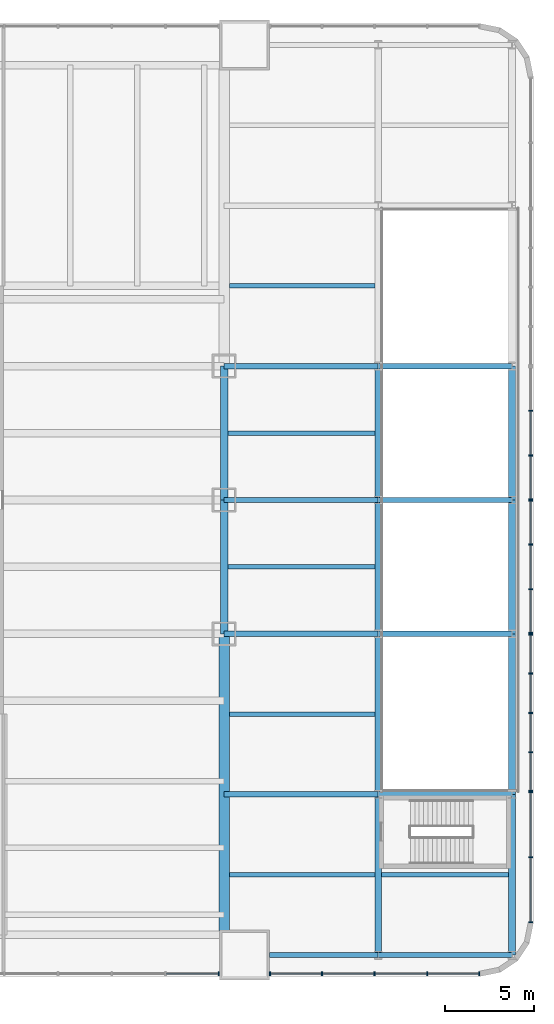
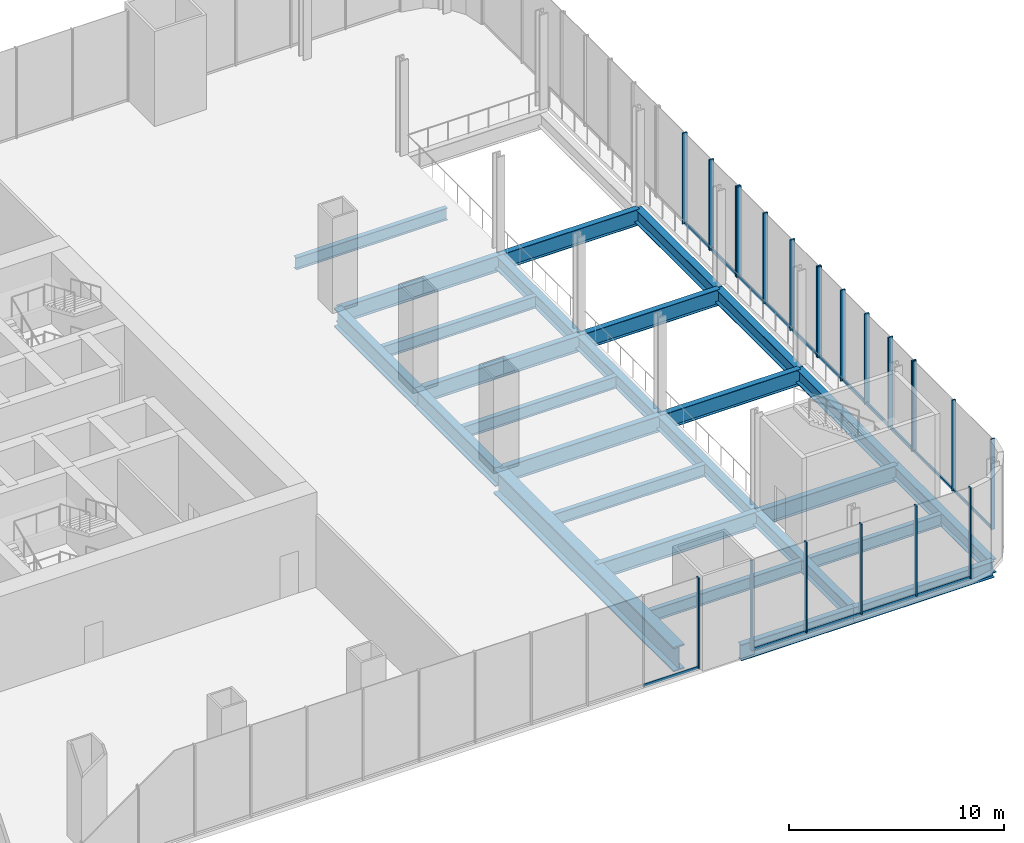
# One storey, part 8 of 16: 37 members, 27 beams, 6 elements without a shape of their own.
"""IFC4 building model written with IfcOpenShell, lengths in metres."""

from ifc_helpers import new_model, si_unit, direction, frame, origin, origin_2d, place, context, subcontext, project, spatial, rectangle, i_section, extrude, material, material_profile, profile_set, type_object, element, aggregate, save


model = new_model("IFC4")

# Units and contexts
model_context = context("Model", 3, precision=1e-05, world=origin(), true_north=direction((0.0, 1.0)))
body_context = subcontext(model_context, "Body", "Model", "MODEL_VIEW")
ifc_project = project(units=[si_unit("LENGTHUNIT", "METRE"), si_unit("AREAUNIT", "SQUARE_METRE"), si_unit("VOLUMEUNIT", "CUBIC_METRE"), si_unit("PLANEANGLEUNIT", "RADIAN"), si_unit("MASSUNIT", "GRAM", prefix="KILO")], contexts=[model_context])

# Site, building, storey
site_placement = place(None, origin())
site = spatial("IfcSite", under=ifc_project, at=site_placement, CompositionType="ELEMENT")
building_placement = place(site_placement, origin())
building = spatial("IfcBuilding", under=site, at=building_placement, Name="Tarangal Relay Tower", CompositionType="ELEMENT")
storey_placement = place(building_placement, frame((0.0, 0.0, 12.60009765625)))
storey = spatial("IfcBuildingStorey", under=building, at=storey_placement, Name="L02", CompositionType="ELEMENT", Elevation=12.60009765625)

# Beams
ifc_material_1 = material(Name="Steel ASTM A992", Category="steel")
ifc_material_profile_1 = material_profile(ifc_material_1, i_section(OverallWidth=0.41650390625, OverallDepth=1.0693359375, WebThickness=0.0390625, FlangeThickness=0.070068359375, at=origin_2d()), Name="W40X503")
ifc_profile_set_1 = profile_set([ifc_material_profile_1], Name="Steel ASTM A992")
beam_type_1 = type_object("IfcBeamType", Name="Edge girder W40X503", PredefinedType="SPANDREL", material=ifc_profile_set_1)
for number, where, z_axis, x_axis, name in (
    (1, (24.364990234375, 7.5, -0.78466796875), (0.0, -1.0, 0.0), (1.0, 0.0, 0.0), "Edge girder EG8 E L02"),
    (2, (24.364990234375, 0.0, -0.78466796875), (0.0, -1.0, 0.0), (1.0, 0.0, 0.0), "Edge girder EG8 E L02"),
):
    element("IfcBeam", number, at=place(storey_placement, frame(where, z_axis=z_axis, x_axis=x_axis)), inside=storey, type_object=beam_type_1, Name=name, PredefinedType="SPANDREL", context=body_context, shape_type="SweptSolid", body=[
        extrude(i_section(OverallWidth=0.41650390625, OverallDepth=1.0693359375, WebThickness=0.0390625, FlangeThickness=0.070068359375, at=origin_2d()), origin(), (0.0, 0.0, 1.0), 7.5),
    ])

# Curtain wall, member
ifc_material_2 = material(Name="Unitised curtain wall, dark glass and black aluminium", Category="aluminium")
curtain_wall_type_1 = type_object("IfcCurtainWallType", Name="Curtain wall CW-P", PredefinedType="USERDEFINED", material=ifc_material_2)
curtain_wall_1_placement = place(storey_placement, origin())
curtain_wall_1 = element("IfcCurtainWall", 3, at=curtain_wall_1_placement, inside=storey, type_object=curtain_wall_type_1, Name="Curtain wall CW-P Podium S facade L02", ObjectType="UNITISED CURTAIN WALL", PredefinedType="USERDEFINED")
ifc_material_3 = material(Name="Black anodised aluminium mullion", Category="aluminium")
ifc_material_profile_2 = material_profile(ifc_material_3, rectangle(XDim=0.199951171875, YDim=0.070068359375, at=origin_2d()), Name="CW-PM 70X200")
ifc_profile_set_2 = profile_set([ifc_material_profile_2], Name="Black anodised aluminium mullion")
member_type_1 = type_object("IfcMemberType", Name="Mullion CW-P 70 x 200", PredefinedType="MULLION", material=ifc_profile_set_2)
member_1_placement = place(storey_placement, frame((24.06494140625, -26.550048828125, 0.0), z_axis=(0.0, 0.0, 1.0), x_axis=(0.0, 1.0, 0.0)))
member_1 = element("IfcMember", 4, at=member_1_placement, type_object=member_type_1, Name="CW-P mullion 17", PredefinedType="MULLION", context=body_context, shape_type="SweptSolid", body=[
    extrude(rectangle(XDim=0.199951171875, YDim=0.070068359375, at=origin_2d()), origin(), (0.0, 0.0, 1.0), 5.14990234375),
])

# Curtain wall, members
curtain_wall_2_placement = place(storey_placement, origin())
curtain_wall_2 = element("IfcCurtainWall", 5, at=curtain_wall_2_placement, inside=storey, type_object=curtain_wall_type_1, Name="Curtain wall CW-P Podium S facade L02", ObjectType="UNITISED CURTAIN WALL", PredefinedType="USERDEFINED")
member_2_placement = place(storey_placement, frame((26.93505859375, -26.550048828125, 0.0), z_axis=(0.0, 0.0, 1.0), x_axis=(0.0, 1.0, 0.0)))
member_2 = element("IfcMember", 6, at=member_2_placement, type_object=member_type_1, Name="CW-P mullion 1", PredefinedType="MULLION", context=body_context, shape_type="SweptSolid", body=[
    extrude(rectangle(XDim=0.199951171875, YDim=0.070068359375, at=origin_2d()), origin(), (0.0, 0.0, 1.0), 5.14990234375),
])
member_3_placement = place(storey_placement, frame((29.85009765625, -26.550048828125, 0.0), z_axis=(0.0, 0.0, 1.0), x_axis=(0.0, 1.0, 0.0)))
member_3 = element("IfcMember", 7, at=member_3_placement, type_object=member_type_1, Name="CW-P mullion 2", PredefinedType="MULLION", context=body_context, shape_type="SweptSolid", body=[
    extrude(rectangle(XDim=0.199951171875, YDim=0.070068359375, at=origin_2d()), origin(), (0.0, 0.0, 1.0), 5.14990234375),
])
member_4_placement = place(storey_placement, frame((32.800048828125, -26.550048828125, 0.0), z_axis=(0.0, 0.0, 1.0), x_axis=(0.0, 1.0, 0.0)))
member_4 = element("IfcMember", 8, at=member_4_placement, type_object=member_type_1, Name="CW-P mullion 3", PredefinedType="MULLION", context=body_context, shape_type="SweptSolid", body=[
    extrude(rectangle(XDim=0.199951171875, YDim=0.070068359375, at=origin_2d()), origin(), (0.0, 0.0, 1.0), 5.14990234375),
])
member_5_placement = place(storey_placement, frame((35.75, -26.550048828125, 0.0), z_axis=(0.0, 0.0, 1.0), x_axis=(0.0, 1.0, 0.0)))
member_5 = element("IfcMember", 9, at=member_5_placement, type_object=member_type_1, Name="CW-P mullion 4", PredefinedType="MULLION", context=body_context, shape_type="SweptSolid", body=[
    extrude(rectangle(XDim=0.199951171875, YDim=0.070068359375, at=origin_2d()), origin(), (0.0, 0.0, 1.0), 5.14990234375),
])
member_6_placement = place(storey_placement, frame((38.6650390625, -26.550048828125, 0.0), z_axis=(0.0, 0.0, 1.0), x_axis=(0.0, 1.0, 0.0)))
member_6 = element("IfcMember", 10, at=member_6_placement, type_object=member_type_1, Name="CW-P mullion 5", PredefinedType="MULLION", context=body_context, shape_type="SweptSolid", body=[
    extrude(rectangle(XDim=0.199951171875, YDim=0.070068359375, at=origin_2d()), origin(), (0.0, 0.0, 1.0), 5.14990234375),
])

curtain_wall_3_placement = place(storey_placement, origin())
curtain_wall_3 = element("IfcCurtainWall", 11, at=curtain_wall_3_placement, inside=storey, type_object=curtain_wall_type_1, Name="Curtain wall CW-P Podium E facade L02", ObjectType="UNITISED CURTAIN WALL", PredefinedType="USERDEFINED")
member_7_placement = place(storey_placement, frame((41.550048828125, -23.6650390625, 0.0), z_axis=(0.0, 0.0, 1.0), x_axis=(-1.0, 0.0, 0.0)))
member_7 = element("IfcMember", 12, at=member_7_placement, type_object=member_type_1, Name="CW-P mullion 1", PredefinedType="MULLION", context=body_context, shape_type="SweptSolid", body=[
    extrude(rectangle(XDim=0.199951171875, YDim=0.070068359375, at=origin_2d()), origin(), (0.0, 0.0, 1.0), 5.14990234375),
])
member_8_placement = place(storey_placement, frame((41.550048828125, -20.02490234375, 0.0), z_axis=(0.0, 0.0, 1.0), x_axis=(-1.0, 0.0, 0.0)))
member_8 = element("IfcMember", 13, at=member_8_placement, type_object=member_type_1, Name="CW-P mullion 2", PredefinedType="MULLION", context=body_context, shape_type="SweptSolid", body=[
    extrude(rectangle(XDim=0.199951171875, YDim=0.070068359375, at=origin_2d()), origin(), (0.0, 0.0, 1.0), 5.14990234375),
])
member_9_placement = place(storey_placement, frame((41.550048828125, -16.385009765625, 0.0), z_axis=(0.0, 0.0, 1.0), x_axis=(-1.0, 0.0, 0.0)))
member_9 = element("IfcMember", 14, at=member_9_placement, type_object=member_type_1, Name="CW-P mullion 3", PredefinedType="MULLION", context=body_context, shape_type="SweptSolid", body=[
    extrude(rectangle(XDim=0.199951171875, YDim=0.070068359375, at=origin_2d()), origin(), (0.0, 0.0, 1.0), 5.14990234375),
])

curtain_wall_type_2 = type_object("IfcCurtainWallType", Name="Curtain wall CW-T", PredefinedType="USERDEFINED", material=ifc_material_2)
curtain_wall_4_placement = place(storey_placement, origin())
curtain_wall_4 = element("IfcCurtainWall", 15, at=curtain_wall_4_placement, inside=storey, type_object=curtain_wall_type_2, Name="Curtain wall CW-T Podium E facade L02", ObjectType="UNITISED CURTAIN WALL", PredefinedType="USERDEFINED")
ifc_material_profile_3 = material_profile(ifc_material_3, rectangle(XDim=0.25, YDim=0.080078125, at=origin_2d()), Name="CW-TM 80X250")
ifc_profile_set_3 = profile_set([ifc_material_profile_3], Name="Black anodised aluminium mullion")
member_type_2 = type_object("IfcMemberType", Name="Mullion CW-T 80 x 250", PredefinedType="MULLION", material=ifc_profile_set_3)
member_10_placement = place(storey_placement, frame((41.550048828125, -16.31005859375, 0.0), z_axis=(0.0, 0.0, 1.0), x_axis=(-1.0, 0.0, 0.0)))
member_10 = element("IfcMember", 16, at=member_10_placement, type_object=member_type_2, Name="CW-T mullion 1", PredefinedType="MULLION", context=body_context, shape_type="SweptSolid", body=[
    extrude(rectangle(XDim=0.25, YDim=0.080078125, at=origin_2d()), origin(), (0.0, 0.0, 1.0), 5.14990234375),
])
member_11_placement = place(storey_placement, frame((41.550048828125, -14.137451171875, 0.0), z_axis=(0.0, 0.0, 1.0), x_axis=(-1.0, 0.0, 0.0)))
member_11 = element("IfcMember", 17, at=member_11_placement, type_object=member_type_2, Name="CW-T mullion 2", PredefinedType="MULLION", context=body_context, shape_type="SweptSolid", body=[
    extrude(rectangle(XDim=0.25, YDim=0.080078125, at=origin_2d()), origin(), (0.0, 0.0, 1.0), 5.14990234375),
])
member_12_placement = place(storey_placement, frame((41.550048828125, -11.925048828125, 0.0), z_axis=(0.0, 0.0, 1.0), x_axis=(-1.0, 0.0, 0.0)))
member_12 = element("IfcMember", 18, at=member_12_placement, type_object=member_type_2, Name="CW-T mullion 3", PredefinedType="MULLION", context=body_context, shape_type="SweptSolid", body=[
    extrude(rectangle(XDim=0.25, YDim=0.080078125, at=origin_2d()), origin(), (0.0, 0.0, 1.0), 5.14990234375),
])
member_13_placement = place(storey_placement, frame((41.550048828125, -9.71240234375, 0.0), z_axis=(0.0, 0.0, 1.0), x_axis=(-1.0, 0.0, 0.0)))
member_13 = element("IfcMember", 19, at=member_13_placement, type_object=member_type_2, Name="CW-T mullion 4", PredefinedType="MULLION", context=body_context, shape_type="SweptSolid", body=[
    extrude(rectangle(XDim=0.25, YDim=0.080078125, at=origin_2d()), origin(), (0.0, 0.0, 1.0), 5.14990234375),
])
member_14_placement = place(storey_placement, frame((41.550048828125, -7.5400390625, 0.0), z_axis=(0.0, 0.0, 1.0), x_axis=(-1.0, 0.0, 0.0)))
member_14 = element("IfcMember", 20, at=member_14_placement, type_object=member_type_2, Name="CW-T mullion 5", PredefinedType="MULLION", context=body_context, shape_type="SweptSolid", body=[
    extrude(rectangle(XDim=0.25, YDim=0.080078125, at=origin_2d()), origin(), (0.0, 0.0, 1.0), 5.14990234375),
])

curtain_wall_5_placement = place(storey_placement, origin())
curtain_wall_5 = element("IfcCurtainWall", 21, at=curtain_wall_5_placement, inside=storey, type_object=curtain_wall_type_2, Name="Curtain wall CW-T Podium E facade L02", ObjectType="UNITISED CURTAIN WALL", PredefinedType="USERDEFINED")
member_15_placement = place(storey_placement, frame((41.550048828125, -7.4599609375, 0.0), z_axis=(0.0, 0.0, 1.0), x_axis=(-1.0, 0.0, 0.0)))
member_15 = element("IfcMember", 22, at=member_15_placement, type_object=member_type_2, Name="CW-T mullion 1", PredefinedType="MULLION", context=body_context, shape_type="SweptSolid", body=[
    extrude(rectangle(XDim=0.25, YDim=0.080078125, at=origin_2d()), origin(), (0.0, 0.0, 1.0), 5.14990234375),
])
member_16_placement = place(storey_placement, frame((41.550048828125, -5.0, 0.0), z_axis=(0.0, 0.0, 1.0), x_axis=(-1.0, 0.0, 0.0)))
member_16 = element("IfcMember", 23, at=member_16_placement, type_object=member_type_2, Name="CW-T mullion 2", PredefinedType="MULLION", context=body_context, shape_type="SweptSolid", body=[
    extrude(rectangle(XDim=0.25, YDim=0.080078125, at=origin_2d()), origin(), (0.0, 0.0, 1.0), 5.14990234375),
])
member_17_placement = place(storey_placement, frame((41.550048828125, -2.5, 0.0), z_axis=(0.0, 0.0, 1.0), x_axis=(-1.0, 0.0, 0.0)))
member_17 = element("IfcMember", 24, at=member_17_placement, type_object=member_type_2, Name="CW-T mullion 3", PredefinedType="MULLION", context=body_context, shape_type="SweptSolid", body=[
    extrude(rectangle(XDim=0.25, YDim=0.080078125, at=origin_2d()), origin(), (0.0, 0.0, 1.0), 5.14990234375),
])
member_18_placement = place(storey_placement, frame((41.550048828125, -0.0400390625, 0.0), z_axis=(0.0, 0.0, 1.0), x_axis=(-1.0, 0.0, 0.0)))
member_18 = element("IfcMember", 25, at=member_18_placement, type_object=member_type_2, Name="CW-T mullion 4", PredefinedType="MULLION", context=body_context, shape_type="SweptSolid", body=[
    extrude(rectangle(XDim=0.25, YDim=0.080078125, at=origin_2d()), origin(), (0.0, 0.0, 1.0), 5.14990234375),
])

curtain_wall_6_placement = place(storey_placement, origin())
curtain_wall_6 = element("IfcCurtainWall", 26, at=curtain_wall_6_placement, inside=storey, type_object=curtain_wall_type_2, Name="Curtain wall CW-T Podium E facade L02", ObjectType="UNITISED CURTAIN WALL", PredefinedType="USERDEFINED")
member_19_placement = place(storey_placement, frame((41.550048828125, 0.0400390625, 0.0), z_axis=(0.0, 0.0, 1.0), x_axis=(-1.0, 0.0, 0.0)))
member_19 = element("IfcMember", 27, at=member_19_placement, type_object=member_type_2, Name="CW-T mullion 1", PredefinedType="MULLION", context=body_context, shape_type="SweptSolid", body=[
    extrude(rectangle(XDim=0.25, YDim=0.080078125, at=origin_2d()), origin(), (0.0, 0.0, 1.0), 5.14990234375),
])
member_20_placement = place(storey_placement, frame((41.550048828125, 2.5, 0.0), z_axis=(0.0, 0.0, 1.0), x_axis=(-1.0, 0.0, 0.0)))
member_20 = element("IfcMember", 28, at=member_20_placement, type_object=member_type_2, Name="CW-T mullion 2", PredefinedType="MULLION", context=body_context, shape_type="SweptSolid", body=[
    extrude(rectangle(XDim=0.25, YDim=0.080078125, at=origin_2d()), origin(), (0.0, 0.0, 1.0), 5.14990234375),
])
member_21_placement = place(storey_placement, frame((41.550048828125, 5.0, 0.0), z_axis=(0.0, 0.0, 1.0), x_axis=(-1.0, 0.0, 0.0)))
member_21 = element("IfcMember", 29, at=member_21_placement, type_object=member_type_2, Name="CW-T mullion 3", PredefinedType="MULLION", context=body_context, shape_type="SweptSolid", body=[
    extrude(rectangle(XDim=0.25, YDim=0.080078125, at=origin_2d()), origin(), (0.0, 0.0, 1.0), 5.14990234375),
])

# Beams
ifc_material_profile_4 = material_profile(ifc_material_1, i_section(OverallWidth=0.3046875, OverallDepth=0.911865234375, WebThickness=0.015869140625, FlangeThickness=0.02392578125, at=origin_2d()), Name="W36X150")
ifc_profile_set_4 = profile_set([ifc_material_profile_4], Name="Steel ASTM A992")
beam_type_2 = type_object("IfcBeamType", Name="Podium beam W36X150", PredefinedType="BEAM", material=ifc_profile_set_4)
beam_1_placement = place(storey_placement, frame((26.89990234375, -25.5, -0.7060546875), z_axis=(1.0, 0.0, 0.0), x_axis=(0.0, 1.0, 0.0)))
element("IfcBeam", 30, at=beam_1_placement, inside=storey, type_object=beam_type_2, Name="Podium beam PB1 L02", PredefinedType="BEAM", context=body_context, shape_type="SweptSolid", body=[
    extrude(i_section(OverallWidth=0.3046875, OverallDepth=0.911865234375, WebThickness=0.015869140625, FlangeThickness=0.02392578125, at=origin_2d()), origin(), (0.0, 0.0, 1.0), 6.10009765625),
])
beam_2_placement = place(storey_placement, frame((33.0, -25.5, -0.7060546875), z_axis=(1.0, 0.0, 0.0), x_axis=(0.0, 1.0, 0.0)))
element("IfcBeam", 31, at=beam_2_placement, inside=storey, type_object=beam_type_2, Name="Podium beam PB1 L02", PredefinedType="BEAM", context=body_context, shape_type="SweptSolid", body=[
    extrude(i_section(OverallWidth=0.3046875, OverallDepth=0.911865234375, WebThickness=0.015869140625, FlangeThickness=0.02392578125, at=origin_2d()), origin(), (0.0, 0.0, 1.0), 7.5),
])
beam_3_placement = place(storey_placement, frame((24.364990234375, -16.5, -0.7060546875), z_axis=(1.0, 0.0, 0.0), x_axis=(0.0, 1.0, 0.0)))
element("IfcBeam", 32, at=beam_3_placement, inside=storey, type_object=beam_type_2, Name="Podium beam PB1 L02", PredefinedType="BEAM", context=body_context, shape_type="SweptSolid", body=[
    extrude(i_section(OverallWidth=0.3046875, OverallDepth=0.911865234375, WebThickness=0.015869140625, FlangeThickness=0.02392578125, at=origin_2d()), origin(), (0.0, 0.0, 1.0), 8.635009765625),
])
beam_4_placement = place(storey_placement, frame((33.0, -16.5, -0.7060546875), z_axis=(1.0, 0.0, 0.0), x_axis=(0.0, 1.0, 0.0)))
element("IfcBeam", 33, at=beam_4_placement, inside=storey, type_object=beam_type_2, Name="Podium beam PB1 L02", PredefinedType="BEAM", context=body_context, shape_type="SweptSolid", body=[
    extrude(i_section(OverallWidth=0.3046875, OverallDepth=0.911865234375, WebThickness=0.015869140625, FlangeThickness=0.02392578125, at=origin_2d()), origin(), (0.0, 0.0, 1.0), 7.5),
])
beam_5_placement = place(storey_placement, frame((24.364990234375, -7.5, -0.7060546875), z_axis=(1.0, 0.0, 0.0), x_axis=(0.0, 1.0, 0.0)))
element("IfcBeam", 34, at=beam_5_placement, inside=storey, type_object=beam_type_2, Name="Podium beam PB1 L02", PredefinedType="BEAM", context=body_context, shape_type="SweptSolid", body=[
    extrude(i_section(OverallWidth=0.3046875, OverallDepth=0.911865234375, WebThickness=0.015869140625, FlangeThickness=0.02392578125, at=origin_2d()), origin(), (0.0, 0.0, 1.0), 8.635009765625),
])
beam_6_placement = place(storey_placement, frame((33.0, -7.5, -0.7060546875), z_axis=(1.0, 0.0, 0.0), x_axis=(0.0, 1.0, 0.0)))
element("IfcBeam", 35, at=beam_6_placement, inside=storey, type_object=beam_type_2, Name="Podium beam PB1 L02", PredefinedType="BEAM", context=body_context, shape_type="SweptSolid", body=[
    extrude(i_section(OverallWidth=0.3046875, OverallDepth=0.911865234375, WebThickness=0.015869140625, FlangeThickness=0.02392578125, at=origin_2d()), origin(), (0.0, 0.0, 1.0), 7.5),
])
beam_7_placement = place(storey_placement, frame((24.364990234375, 0.0, -0.7060546875), z_axis=(1.0, 0.0, 0.0), x_axis=(0.0, 1.0, 0.0)))
element("IfcBeam", 36, at=beam_7_placement, inside=storey, type_object=beam_type_2, Name="Podium beam PB1 L02", PredefinedType="BEAM", context=body_context, shape_type="SweptSolid", body=[
    extrude(i_section(OverallWidth=0.3046875, OverallDepth=0.911865234375, WebThickness=0.015869140625, FlangeThickness=0.02392578125, at=origin_2d()), origin(), (0.0, 0.0, 1.0), 8.635009765625),
])
beam_8_placement = place(storey_placement, frame((33.0, 0.0, -0.7060546875), z_axis=(1.0, 0.0, 0.0), x_axis=(0.0, 1.0, 0.0)))
element("IfcBeam", 37, at=beam_8_placement, inside=storey, type_object=beam_type_2, Name="Podium beam PB1 L02", PredefinedType="BEAM", context=body_context, shape_type="SweptSolid", body=[
    extrude(i_section(OverallWidth=0.3046875, OverallDepth=0.911865234375, WebThickness=0.015869140625, FlangeThickness=0.02392578125, at=origin_2d()), origin(), (0.0, 0.0, 1.0), 7.5),
])
beam_9_placement = place(storey_placement, frame((24.364990234375, 7.5, -0.7060546875), z_axis=(1.0, 0.0, 0.0), x_axis=(0.0, 1.0, 0.0)))
element("IfcBeam", 38, at=beam_9_placement, inside=storey, type_object=beam_type_2, Name="Podium beam PB1 L02", PredefinedType="BEAM", context=body_context, shape_type="SweptSolid", body=[
    extrude(i_section(OverallWidth=0.3046875, OverallDepth=0.911865234375, WebThickness=0.015869140625, FlangeThickness=0.02392578125, at=origin_2d()), origin(), (0.0, 0.0, 1.0), 8.635009765625),
])
beam_10_placement = place(storey_placement, frame((33.0, 7.5, -0.7060546875), z_axis=(1.0, 0.0, 0.0), x_axis=(0.0, 1.0, 0.0)))
element("IfcBeam", 39, at=beam_10_placement, inside=storey, type_object=beam_type_2, Name="Podium beam PB1 L02", PredefinedType="BEAM", context=body_context, shape_type="SweptSolid", body=[
    extrude(i_section(OverallWidth=0.3046875, OverallDepth=0.911865234375, WebThickness=0.015869140625, FlangeThickness=0.02392578125, at=origin_2d()), origin(), (0.0, 0.0, 1.0), 7.5),
])
ifc_material_profile_5 = material_profile(ifc_material_1, i_section(OverallWidth=0.383544921875, OverallDepth=0.784912109375, WebThickness=0.019775390625, FlangeThickness=0.033447265625, at=origin_2d()), Name="W30X211")
ifc_profile_set_5 = profile_set([ifc_material_profile_5], Name="Steel ASTM A992")
beam_type_3 = type_object("IfcBeamType", Name="Podium girder W30X211", PredefinedType="BEAM", material=ifc_profile_set_5)
for number, where, z_axis, x_axis, name in (
    (40, (33.0, -25.5, -0.642578125), (0.0, 1.0, 0.0), (-1.0, 0.0, 0.0), "Podium girder PG1 L02"),
    (41, (33.0, -16.5, -0.642578125), (0.0, 1.0, 0.0), (-1.0, 0.0, 0.0), "Podium girder PG1 L02"),
):
    element("IfcBeam", number, at=place(storey_placement, frame(where, z_axis=z_axis, x_axis=x_axis)), inside=storey, type_object=beam_type_3, Name=name, PredefinedType="BEAM", context=body_context, shape_type="SweptSolid", body=[
        extrude(i_section(OverallWidth=0.383544921875, OverallDepth=0.784912109375, WebThickness=0.019775390625, FlangeThickness=0.033447265625, at=origin_2d()), origin(), (0.0, 0.0, 1.0), 9.0),
    ])
for number, where, z_axis, x_axis, name in (
    (42, (33.0, -7.5, -0.642578125), (0.0, 1.0, 0.0), (-1.0, 0.0, 0.0), "Podium girder PG1 L02"),
    (43, (33.0, 0.0, -0.642578125), (0.0, 1.0, 0.0), (-1.0, 0.0, 0.0), "Podium girder PG1 L02"),
):
    element("IfcBeam", number, at=place(storey_placement, frame(where, z_axis=z_axis, x_axis=x_axis)), inside=storey, type_object=beam_type_3, Name=name, PredefinedType="BEAM", context=body_context, shape_type="SweptSolid", body=[
        extrude(i_section(OverallWidth=0.383544921875, OverallDepth=0.784912109375, WebThickness=0.019775390625, FlangeThickness=0.033447265625, at=origin_2d()), origin(), (0.0, 0.0, 1.0), 7.5),
    ])
for number, where, z_axis, x_axis, name in (
    (44, (40.5, -25.5, -0.642578125), (0.0, 1.0, 0.0), (-1.0, 0.0, 0.0), "Podium girder PG1 L02"),
    (45, (40.5, -16.5, -0.642578125), (0.0, 1.0, 0.0), (-1.0, 0.0, 0.0), "Podium girder PG1 L02"),
):
    element("IfcBeam", number, at=place(storey_placement, frame(where, z_axis=z_axis, x_axis=x_axis)), inside=storey, type_object=beam_type_3, Name=name, PredefinedType="BEAM", context=body_context, shape_type="SweptSolid", body=[
        extrude(i_section(OverallWidth=0.383544921875, OverallDepth=0.784912109375, WebThickness=0.019775390625, FlangeThickness=0.033447265625, at=origin_2d()), origin(), (0.0, 0.0, 1.0), 9.0),
    ])
for number, where, z_axis, x_axis, name in (
    (46, (40.5, -7.5, -0.642578125), (0.0, 1.0, 0.0), (-1.0, 0.0, 0.0), "Podium girder PG1 L02"),
    (47, (40.5, 0.0, -0.642578125), (0.0, 1.0, 0.0), (-1.0, 0.0, 0.0), "Podium girder PG1 L02"),
):
    element("IfcBeam", number, at=place(storey_placement, frame(where, z_axis=z_axis, x_axis=x_axis)), inside=storey, type_object=beam_type_3, Name=name, PredefinedType="BEAM", context=body_context, shape_type="SweptSolid", body=[
        extrude(i_section(OverallWidth=0.383544921875, OverallDepth=0.784912109375, WebThickness=0.019775390625, FlangeThickness=0.033447265625, at=origin_2d()), origin(), (0.0, 0.0, 1.0), 7.5),
    ])
ifc_material_profile_6 = material_profile(ifc_material_1, i_section(OverallWidth=0.25390625, OverallDepth=0.683349609375, WebThickness=0.012451171875, FlangeThickness=0.018798828125, at=origin_2d()), Name="W27X94")
ifc_profile_set_6 = profile_set([ifc_material_profile_6], Name="Steel ASTM A992")
beam_type_4 = type_object("IfcBeamType", Name="Podium joist W27X94", PredefinedType="JOIST", material=ifc_profile_set_6)
beam_11_placement = place(storey_placement, frame((24.6650390625, -21.0, -0.591796875), z_axis=(1.0, 0.0, 0.0), x_axis=(0.0, 1.0, 0.0)))
element("IfcBeam", 48, at=beam_11_placement, inside=storey, type_object=beam_type_4, Name="Podium joist PJ1 L02", PredefinedType="JOIST", context=body_context, shape_type="SweptSolid", body=[
    extrude(i_section(OverallWidth=0.25390625, OverallDepth=0.683349609375, WebThickness=0.012451171875, FlangeThickness=0.018798828125, at=origin_2d()), origin(), (0.0, 0.0, 1.0), 8.14404296875),
])
beam_12_placement = place(storey_placement, frame((33.19091796875, -21.0, -0.591796875), z_axis=(1.0, 0.0, 0.0), x_axis=(0.0, 1.0, 0.0)))
element("IfcBeam", 49, at=beam_12_placement, inside=storey, type_object=beam_type_4, Name="Podium joist PJ1 L02", PredefinedType="JOIST", context=body_context, shape_type="SweptSolid", body=[
    extrude(i_section(OverallWidth=0.25390625, OverallDepth=0.683349609375, WebThickness=0.012451171875, FlangeThickness=0.018798828125, at=origin_2d()), origin(), (0.0, 0.0, 1.0), 7.1181640625),
])
beam_13_placement = place(storey_placement, frame((24.6650390625, -12.0, -0.591796875), z_axis=(1.0, 0.0, 0.0), x_axis=(0.0, 1.0, 0.0)))
element("IfcBeam", 50, at=beam_13_placement, inside=storey, type_object=beam_type_4, Name="Podium joist PJ1 L02", PredefinedType="JOIST", context=body_context, shape_type="SweptSolid", body=[
    extrude(i_section(OverallWidth=0.25390625, OverallDepth=0.683349609375, WebThickness=0.012451171875, FlangeThickness=0.018798828125, at=origin_2d()), origin(), (0.0, 0.0, 1.0), 8.14404296875),
])
for number, where, z_axis, x_axis, name in (
    (51, (24.572998046875, -3.75, -0.591796875), (1.0, 0.0, 0.0), (0.0, 1.0, 0.0), "Podium joist PJ1 L02"),
    (52, (24.572998046875, 3.75, -0.591796875), (1.0, 0.0, 0.0), (0.0, 1.0, 0.0), "Podium joist PJ1 L02"),
):
    element("IfcBeam", number, at=place(storey_placement, frame(where, z_axis=z_axis, x_axis=x_axis)), inside=storey, type_object=beam_type_4, Name=name, PredefinedType="JOIST", context=body_context, shape_type="SweptSolid", body=[
        extrude(i_section(OverallWidth=0.25390625, OverallDepth=0.683349609375, WebThickness=0.012451171875, FlangeThickness=0.018798828125, at=origin_2d()), origin(), (0.0, 0.0, 1.0), 8.236083984375),
    ])
beam_14_placement = place(storey_placement, frame((24.6650390625, 12.0, -0.591796875), z_axis=(1.0, 0.0, 0.0), x_axis=(0.0, 1.0, 0.0)))
element("IfcBeam", 53, at=beam_14_placement, inside=storey, type_object=beam_type_4, Name="Podium joist PJ1 L02", PredefinedType="JOIST", context=body_context, shape_type="SweptSolid", body=[
    extrude(i_section(OverallWidth=0.25390625, OverallDepth=0.683349609375, WebThickness=0.012451171875, FlangeThickness=0.018798828125, at=origin_2d()), origin(), (0.0, 0.0, 1.0), 8.14404296875),
])
ifc_material_4 = material(Name="Steel ASTM A572 Grade 50", Category="steel")
ifc_material_profile_7 = material_profile(ifc_material_4, i_section(OverallWidth=0.60009765625, OverallDepth=1.39990234375, WebThickness=0.030029296875, FlangeThickness=0.080078125, at=origin_2d()), Name="PG1400X600X80X30")
ifc_profile_set_7 = profile_set([ifc_material_profile_7], Name="Steel ASTM A572 Grade 50")
beam_type_5 = type_object("IfcBeamType", Name="Transfer girder PG1400X600X80X30", PredefinedType="SPANDREL", material=ifc_profile_set_7)
beam_15_placement = place(storey_placement, frame((24.364990234375, -7.5, -0.9501953125), z_axis=(0.0, -1.0, 0.0), x_axis=(1.0, 0.0, 0.0)))
element("IfcBeam", 54, at=beam_15_placement, inside=storey, type_object=beam_type_5, Name="Transfer girder TG1 E L02", PredefinedType="SPANDREL", context=body_context, shape_type="SweptSolid", body=[
    extrude(i_section(OverallWidth=0.60009765625, OverallDepth=1.39990234375, WebThickness=0.030029296875, FlangeThickness=0.080078125, at=origin_2d()), origin(), (0.0, 0.0, 1.0), 16.75),
])

# Member
ifc_material_5 = material(Name="Black anodised aluminium transom", Category="aluminium")
ifc_material_profile_8 = material_profile(ifc_material_5, rectangle(XDim=0.070068359375, YDim=0.159912109375, at=origin_2d()), Name="CW-PT 70X160")
ifc_profile_set_8 = profile_set([ifc_material_profile_8], Name="Black anodised aluminium transom")
member_type_3 = type_object("IfcMemberType", Name="Transom CW-P 70 x 160", PredefinedType="USERDEFINED", material=ifc_profile_set_8)
member_22_placement = place(storey_placement, frame((21.12255859375, -26.550048828125, 0.034912109375), z_axis=(1.0, 0.0, 0.0), x_axis=(0.0, 1.0, 0.0)))
member_22 = element("IfcMember", 55, at=member_22_placement, type_object=member_type_3, Name="CW-P transom 16.1", ObjectType="TRANSOM", PredefinedType="USERDEFINED", context=body_context, shape_type="SweptSolid", body=[
    extrude(rectangle(XDim=0.070068359375, YDim=0.159912109375, at=origin_2d()), origin(), (0.0, 0.0, 1.0), 2.907470703125),
])

aggregate(curtain_wall_1, [member_1, member_22])

member_23_placement = place(storey_placement, frame((26.969970703125, -26.550048828125, 0.034912109375), z_axis=(1.0, 0.0, 0.0), x_axis=(0.0, 1.0, 0.0)))
member_23 = element("IfcMember", 56, at=member_23_placement, type_object=member_type_3, Name="CW-P transom 1.1", ObjectType="TRANSOM", PredefinedType="USERDEFINED", context=body_context, shape_type="SweptSolid", body=[
    extrude(rectangle(XDim=0.070068359375, YDim=0.159912109375, at=origin_2d()), origin(), (0.0, 0.0, 1.0), 2.844970703125),
])

member_24_placement = place(storey_placement, frame((29.885009765625, -26.550048828125, 0.034912109375), z_axis=(1.0, 0.0, 0.0), x_axis=(0.0, 1.0, 0.0)))
member_24 = element("IfcMember", 57, at=member_24_placement, type_object=member_type_3, Name="CW-P transom 2.1", ObjectType="TRANSOM", PredefinedType="USERDEFINED", context=body_context, shape_type="SweptSolid", body=[
    extrude(rectangle(XDim=0.070068359375, YDim=0.159912109375, at=origin_2d()), origin(), (0.0, 0.0, 1.0), 2.8798828125),
])

member_25_placement = place(storey_placement, frame((32.8349609375, -26.550048828125, 0.034912109375), z_axis=(1.0, 0.0, 0.0), x_axis=(0.0, 1.0, 0.0)))
member_25 = element("IfcMember", 58, at=member_25_placement, type_object=member_type_3, Name="CW-P transom 3.1", ObjectType="TRANSOM", PredefinedType="USERDEFINED", context=body_context, shape_type="SweptSolid", body=[
    extrude(rectangle(XDim=0.070068359375, YDim=0.159912109375, at=origin_2d()), origin(), (0.0, 0.0, 1.0), 2.880126953125),
])

member_26_placement = place(storey_placement, frame((35.784912109375, -26.550048828125, 0.034912109375), z_axis=(1.0, 0.0, 0.0), x_axis=(0.0, 1.0, 0.0)))
member_26 = element("IfcMember", 59, at=member_26_placement, type_object=member_type_3, Name="CW-P transom 4.1", ObjectType="TRANSOM", PredefinedType="USERDEFINED", context=body_context, shape_type="SweptSolid", body=[
    extrude(rectangle(XDim=0.070068359375, YDim=0.159912109375, at=origin_2d()), origin(), (0.0, 0.0, 1.0), 2.844970703125),
])

aggregate(curtain_wall_2, [member_2, member_3, member_4, member_5, member_6, member_23, member_24, member_25, member_26])

member_27_placement = place(storey_placement, frame((41.550048828125, -23.6298828125, 0.034912109375), z_axis=(0.0, 1.0, 0.0), x_axis=(-1.0, 0.0, 0.0)))
member_27 = element("IfcMember", 60, at=member_27_placement, type_object=member_type_3, Name="CW-P transom 1.1", ObjectType="TRANSOM", PredefinedType="USERDEFINED", context=body_context, shape_type="SweptSolid", body=[
    extrude(rectangle(XDim=0.070068359375, YDim=0.159912109375, at=origin_2d()), origin(), (0.0, 0.0, 1.0), 3.56982421875),
])

member_28_placement = place(storey_placement, frame((41.550048828125, -19.989990234375, 0.034912109375), z_axis=(0.0, 1.0, 0.0), x_axis=(-1.0, 0.0, 0.0)))
member_28 = element("IfcMember", 61, at=member_28_placement, type_object=member_type_3, Name="CW-P transom 2.1", ObjectType="TRANSOM", PredefinedType="USERDEFINED", context=body_context, shape_type="SweptSolid", body=[
    extrude(rectangle(XDim=0.070068359375, YDim=0.159912109375, at=origin_2d()), origin(), (0.0, 0.0, 1.0), 3.570068359375),
])

aggregate(curtain_wall_3, [member_7, member_8, member_9, member_27, member_28])

ifc_material_profile_9 = material_profile(ifc_material_5, rectangle(XDim=0.080078125, YDim=0.199951171875, at=origin_2d()), Name="CW-TT 80X200")
ifc_profile_set_9 = profile_set([ifc_material_profile_9], Name="Black anodised aluminium transom")
member_type_4 = type_object("IfcMemberType", Name="Transom CW-T 80 x 200", PredefinedType="USERDEFINED", material=ifc_profile_set_9)
member_29_placement = place(storey_placement, frame((41.550048828125, -16.27001953125, 0.039794921875), z_axis=(0.0, 1.0, 0.0), x_axis=(-1.0, 0.0, 0.0)))
member_29 = element("IfcMember", 62, at=member_29_placement, type_object=member_type_4, Name="CW-T transom 1.1", ObjectType="TRANSOM", PredefinedType="USERDEFINED", context=body_context, shape_type="SweptSolid", body=[
    extrude(rectangle(XDim=0.080078125, YDim=0.199951171875, at=origin_2d()), origin(), (0.0, 0.0, 1.0), 2.092529296875),
])

member_30_placement = place(storey_placement, frame((41.550048828125, -14.097412109375, 0.039794921875), z_axis=(0.0, 1.0, 0.0), x_axis=(-1.0, 0.0, 0.0)))
member_30 = element("IfcMember", 63, at=member_30_placement, type_object=member_type_4, Name="CW-T transom 2.1", ObjectType="TRANSOM", PredefinedType="USERDEFINED", context=body_context, shape_type="SweptSolid", body=[
    extrude(rectangle(XDim=0.080078125, YDim=0.199951171875, at=origin_2d()), origin(), (0.0, 0.0, 1.0), 2.13232421875),
])

member_31_placement = place(storey_placement, frame((41.550048828125, -11.885009765625, 0.039794921875), z_axis=(0.0, 1.0, 0.0), x_axis=(-1.0, 0.0, 0.0)))
member_31 = element("IfcMember", 64, at=member_31_placement, type_object=member_type_4, Name="CW-T transom 3.1", ObjectType="TRANSOM", PredefinedType="USERDEFINED", context=body_context, shape_type="SweptSolid", body=[
    extrude(rectangle(XDim=0.080078125, YDim=0.199951171875, at=origin_2d()), origin(), (0.0, 0.0, 1.0), 2.132568359375),
])

member_32_placement = place(storey_placement, frame((41.550048828125, -9.672607421875, 0.039794921875), z_axis=(0.0, 1.0, 0.0), x_axis=(-1.0, 0.0, 0.0)))
member_32 = element("IfcMember", 65, at=member_32_placement, type_object=member_type_4, Name="CW-T transom 4.1", ObjectType="TRANSOM", PredefinedType="USERDEFINED", context=body_context, shape_type="SweptSolid", body=[
    extrude(rectangle(XDim=0.080078125, YDim=0.199951171875, at=origin_2d()), origin(), (0.0, 0.0, 1.0), 2.092529296875),
])

aggregate(curtain_wall_4, [member_10, member_11, member_12, member_13, member_14, member_29, member_30, member_31, member_32])

member_33_placement = place(storey_placement, frame((41.550048828125, -7.419921875, 0.039794921875), z_axis=(0.0, 1.0, 0.0), x_axis=(-1.0, 0.0, 0.0)))
member_33 = element("IfcMember", 66, at=member_33_placement, type_object=member_type_4, Name="CW-T transom 1.1", ObjectType="TRANSOM", PredefinedType="USERDEFINED", context=body_context, shape_type="SweptSolid", body=[
    extrude(rectangle(XDim=0.080078125, YDim=0.199951171875, at=origin_2d()), origin(), (0.0, 0.0, 1.0), 2.3798828125),
])

member_34_placement = place(storey_placement, frame((41.550048828125, -4.9599609375, 0.039794921875), z_axis=(0.0, 1.0, 0.0), x_axis=(-1.0, 0.0, 0.0)))
member_34 = element("IfcMember", 67, at=member_34_placement, type_object=member_type_4, Name="CW-T transom 2.1", ObjectType="TRANSOM", PredefinedType="USERDEFINED", context=body_context, shape_type="SweptSolid", body=[
    extrude(rectangle(XDim=0.080078125, YDim=0.199951171875, at=origin_2d()), origin(), (0.0, 0.0, 1.0), 2.419921875),
])

member_35_placement = place(storey_placement, frame((41.550048828125, -2.4599609375, 0.039794921875), z_axis=(0.0, 1.0, 0.0), x_axis=(-1.0, 0.0, 0.0)))
member_35 = element("IfcMember", 68, at=member_35_placement, type_object=member_type_4, Name="CW-T transom 3.1", ObjectType="TRANSOM", PredefinedType="USERDEFINED", context=body_context, shape_type="SweptSolid", body=[
    extrude(rectangle(XDim=0.080078125, YDim=0.199951171875, at=origin_2d()), origin(), (0.0, 0.0, 1.0), 2.3798828125),
])

aggregate(curtain_wall_5, [member_15, member_16, member_17, member_18, member_33, member_34, member_35])

member_36_placement = place(storey_placement, frame((41.550048828125, 0.080078125, 0.039794921875), z_axis=(0.0, 1.0, 0.0), x_axis=(-1.0, 0.0, 0.0)))
member_36 = element("IfcMember", 69, at=member_36_placement, type_object=member_type_4, Name="CW-T transom 1.1", ObjectType="TRANSOM", PredefinedType="USERDEFINED", context=body_context, shape_type="SweptSolid", body=[
    extrude(rectangle(XDim=0.080078125, YDim=0.199951171875, at=origin_2d()), origin(), (0.0, 0.0, 1.0), 2.3798828125),
])

member_37_placement = place(storey_placement, frame((41.550048828125, 2.5400390625, 0.039794921875), z_axis=(0.0, 1.0, 0.0), x_axis=(-1.0, 0.0, 0.0)))
member_37 = element("IfcMember", 70, at=member_37_placement, type_object=member_type_4, Name="CW-T transom 2.1", ObjectType="TRANSOM", PredefinedType="USERDEFINED", context=body_context, shape_type="SweptSolid", body=[
    extrude(rectangle(XDim=0.080078125, YDim=0.199951171875, at=origin_2d()), origin(), (0.0, 0.0, 1.0), 2.419921875),
])

aggregate(curtain_wall_6, [member_19, member_20, member_21, member_36, member_37])

save(model, "model.ifc")
